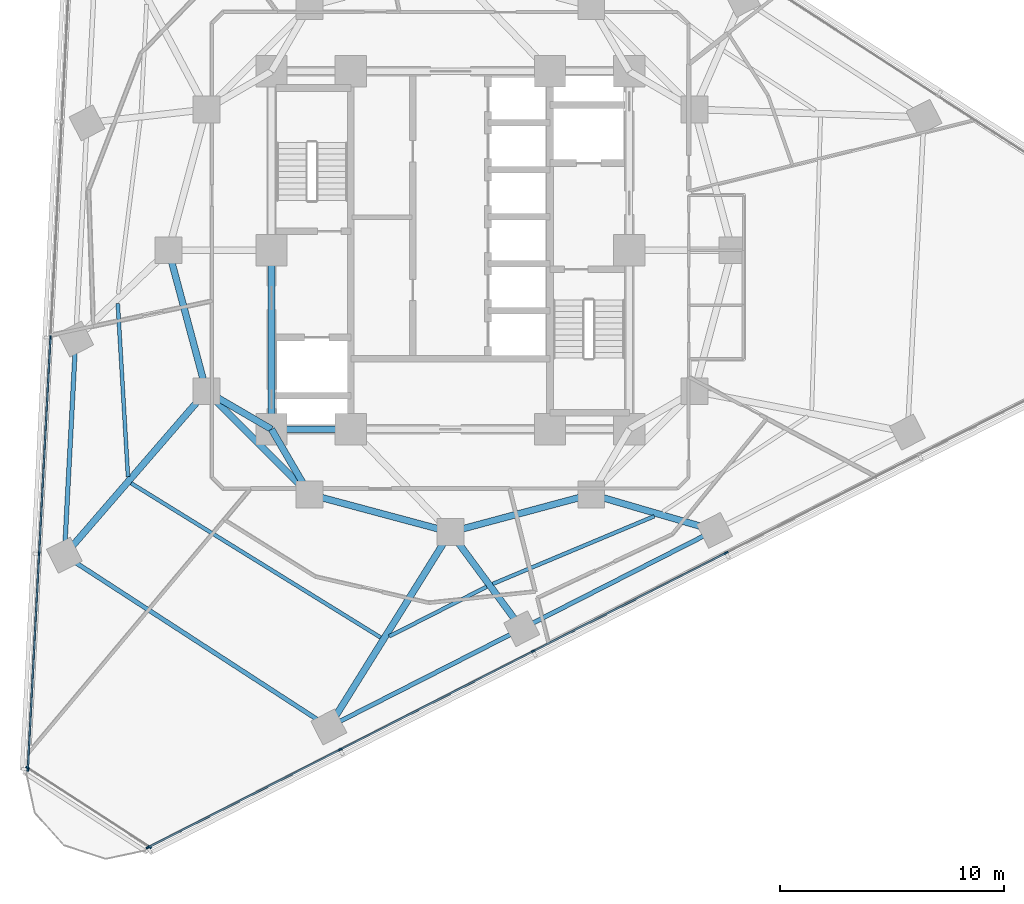
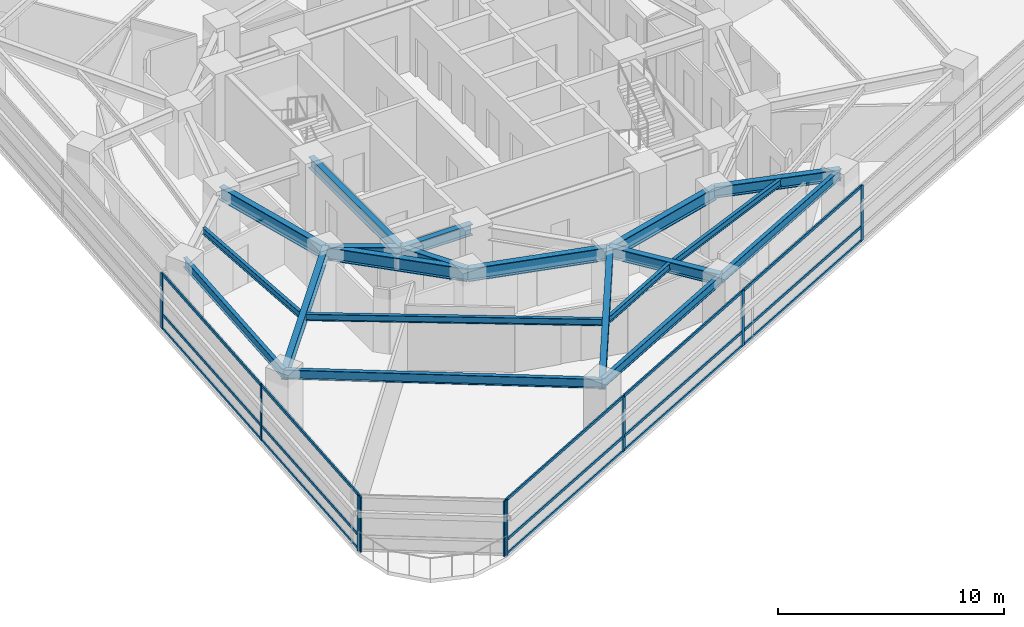
# One storey, part 2 of 14: 24 members, 20 beams, 3 elements without a shape of their own.
"""IFC4 building model written with IfcOpenShell, lengths in metres."""

from ifc_helpers import new_model, si_unit, direction, frame, origin, origin_2d, place, context, subcontext, project, spatial, rectangle, i_section, extrude, material, layer, layer_set, material_profile, profile_set, type_object, element, aggregate, save


model = new_model("IFC4")

# Units and contexts
model_context = context("Model", 3, precision=1e-05, world=origin(), true_north=direction((0.0, 1.0)))
body_context = subcontext(model_context, "Body", "Model", "MODEL_VIEW")
ifc_project = project(units=[si_unit("LENGTHUNIT", "METRE"), si_unit("AREAUNIT", "SQUARE_METRE"), si_unit("VOLUMEUNIT", "CUBIC_METRE"), si_unit("PLANEANGLEUNIT", "RADIAN"), si_unit("MASSUNIT", "GRAM", prefix="KILO")], contexts=[model_context])

# Site, building, storey
site_placement = place(None, origin())
site = spatial("IfcSite", under=ifc_project, at=site_placement, CompositionType="ELEMENT")
building_placement = place(site_placement, origin())
building = spatial("IfcBuilding", under=site, at=building_placement, Name="Terralouvre Media Tower", CompositionType="ELEMENT")
storey_placement = place(building_placement, frame((0.0, 0.0, 123.60009765625)))
storey = spatial("IfcBuildingStorey", under=building, at=storey_placement, Name="L31", CompositionType="ELEMENT", Elevation=123.60009765625)

# Beams
ifc_material_1 = material(Name="Structural steel S355J2", Category="steel")
ifc_material_profile_1 = material_profile(ifc_material_1, i_section(OverallWidth=0.169921875, OverallDepth=0.360107421875, WebThickness=0.008056640625, FlangeThickness=0.0126953125, at=origin_2d()), Name="IPE 360")
ifc_profile_set_1 = profile_set([ifc_material_profile_1], Name="Structural steel S355J2")
beam_type_1 = type_object("IfcBeamType", Name="Composite Floor Joist J-IPE360 (IPE 360)", PredefinedType="JOIST", material=ifc_profile_set_1)
beam_1_placement = place(storey_placement, frame((-14.872314453125, -2.377197265625, 3.31982421875), z_axis=(0.058878824525, -0.998265137137, 0.0), x_axis=(0.998265137137, 0.058878824525, 0.0)))
element("IfcBeam", 1, at=beam_1_placement, inside=storey, type_object=beam_type_1, Name="L31 Framing Beam JT-L31-01", PredefinedType="JOIST", context=body_context, shape_type="SweptSolid", body=[
    extrude(i_section(OverallWidth=0.169921875, OverallDepth=0.360107421875, WebThickness=0.008056640625, FlangeThickness=0.0126953125, at=origin_2d()), origin(), (0.0, 0.0, 1.0), 7.758056640625),
])
beam_2_placement = place(storey_placement, frame((-14.275390625, -10.413330078125, 3.31982421875), z_axis=(0.850512534705, -0.525954777818, 0.0), x_axis=(0.525954777818, 0.850512534705, 0.0)))
element("IfcBeam", 2, at=beam_2_placement, inside=storey, type_object=beam_type_1, Name="L31 Framing Beam JT-L31-02", PredefinedType="JOIST", context=body_context, shape_type="SweptSolid", body=[
    extrude(i_section(OverallWidth=0.169921875, OverallDepth=0.360107421875, WebThickness=0.008056640625, FlangeThickness=0.0126953125, at=origin_2d()), origin(), (0.0, 0.0, 1.0), 13.118896484375),
])
beam_3_placement = place(storey_placement, frame((-2.732666015625, -17.260986328125, 3.31982421875), z_axis=(0.891002879415, 0.453997652939, 0.0), x_axis=(-0.453997652939, 0.891002879415, 0.0)))
element("IfcBeam", 3, at=beam_3_placement, inside=storey, type_object=beam_type_1, Name="L31 Framing Beam JT-L31-03", PredefinedType="JOIST", context=body_context, shape_type="SweptSolid", body=[
    extrude(i_section(OverallWidth=0.169921875, OverallDepth=0.360107421875, WebThickness=0.008056640625, FlangeThickness=0.0126953125, at=origin_2d()), origin(), (0.0, 0.0, 1.0), 4.885009765625),
])
beam_4_placement = place(storey_placement, frame((1.89404296875, -14.916259765625, 3.31982421875), z_axis=(0.922254640504, 0.386582951085, 0.0), x_axis=(-0.386582951085, 0.922254640504, 0.0)))
element("IfcBeam", 4, at=beam_4_placement, inside=storey, type_object=beam_type_1, Name="L31 Framing Beam JT-L31-04", PredefinedType="JOIST", context=body_context, shape_type="SweptSolid", body=[
    extrude(i_section(OverallWidth=0.169921875, OverallDepth=0.360107421875, WebThickness=0.008056640625, FlangeThickness=0.0126953125, at=origin_2d()), origin(), (0.0, 0.0, 1.0), 7.8291015625),
])

# Curtain wall, members
ifc_material_2 = material(Name="Low-iron laminated double glazing with solar-control coating", Category="glass")
ifc_layer_1 = layer(ifc_material_2, 0.1650390625, Name="Production Studio Tower Curtain Wall CW-03")
ifc_layer_set_1 = layer_set([ifc_layer_1], Name="Low-iron laminated double glazing with solar-control coating")
curtain_wall_type_1 = type_object("IfcCurtainWallType", Name="Production Studio Tower Curtain Wall CW-03", PredefinedType="NOTDEFINED", material=ifc_layer_set_1)
curtain_wall_1_placement = place(storey_placement, origin())
curtain_wall_1 = element("IfcCurtainWall", 5, at=curtain_wall_1_placement, inside=storey, type_object=curtain_wall_type_1, Name="L31 Facade Curtain Wall F0", PredefinedType="NOTDEFINED")
ifc_material_3 = material(Name="Anodised extruded aluminium 6063-T6", Category="aluminium")
ifc_material_profile_2 = material_profile(ifc_material_3, rectangle(XDim=0.074951171875, YDim=0.14990234375, at=origin_2d()), Name="ALU 75x150")
ifc_profile_set_2 = profile_set([ifc_material_profile_2], Name="Anodised extruded aluminium 6063-T6")
member_type_1 = type_object("IfcMemberType", Name="Curtain-Wall Horizontal Transom TR-150", PredefinedType="USERDEFINED", material=ifc_profile_set_2)
member_1_placement = place(storey_placement, frame((-13.481689453125, -26.680419921875, 0.037353515625), z_axis=(0.891007557644, 0.453988471462, 0.0), x_axis=(-0.453988471462, 0.891007557644, 0.0)))
member_1 = element("IfcMember", 6, at=member_1_placement, type_object=member_type_1, Name="CW-03 transom 1.1", ObjectType="TRANSOM", PredefinedType="USERDEFINED", context=body_context, shape_type="SweptSolid", body=[
    extrude(rectangle(XDim=0.074951171875, YDim=0.14990234375, at=origin_2d()), origin(), (0.0, 0.0, 1.0), 9.5673828125),
])
member_2_placement = place(storey_placement, frame((-13.481689453125, -26.680419921875, 0.7998046875), z_axis=(0.891007557644, 0.453988471462, 0.0), x_axis=(-0.453988471462, 0.891007557644, 0.0)))
member_2 = element("IfcMember", 7, at=member_2_placement, type_object=member_type_1, Name="CW-03 transom 1.2", ObjectType="TRANSOM", PredefinedType="USERDEFINED", context=body_context, shape_type="SweptSolid", body=[
    extrude(rectangle(XDim=0.074951171875, YDim=0.14990234375, at=origin_2d()), origin(), (0.0, 0.0, 1.0), 9.5673828125),
])
member_3_placement = place(storey_placement, frame((-13.481689453125, -26.680419921875, 2.96240234375), z_axis=(0.891007557644, 0.453988471462, 0.0), x_axis=(-0.453988471462, 0.891007557644, 0.0)))
member_3 = element("IfcMember", 8, at=member_3_placement, type_object=member_type_1, Name="CW-03 transom 1.3", ObjectType="TRANSOM", PredefinedType="USERDEFINED", context=body_context, shape_type="SweptSolid", body=[
    extrude(rectangle(XDim=0.074951171875, YDim=0.14990234375, at=origin_2d()), origin(), (0.0, 0.0, 1.0), 9.5673828125),
])
member_4_placement = place(storey_placement, frame((-4.89013671875, -22.302978515625, 0.037353515625), z_axis=(0.891005548508, 0.453992414615, 0.0), x_axis=(-0.453992414615, 0.891005548508, 0.0)))
member_4 = element("IfcMember", 9, at=member_4_placement, type_object=member_type_1, Name="CW-03 transom 2.1", ObjectType="TRANSOM", PredefinedType="USERDEFINED", context=body_context, shape_type="SweptSolid", body=[
    extrude(rectangle(XDim=0.074951171875, YDim=0.14990234375, at=origin_2d()), origin(), (0.0, 0.0, 1.0), 9.60498046875),
])
member_5_placement = place(storey_placement, frame((-4.89013671875, -22.302978515625, 0.7998046875), z_axis=(0.891005548508, 0.453992414615, 0.0), x_axis=(-0.453992414615, 0.891005548508, 0.0)))
member_5 = element("IfcMember", 10, at=member_5_placement, type_object=member_type_1, Name="CW-03 transom 2.2", ObjectType="TRANSOM", PredefinedType="USERDEFINED", context=body_context, shape_type="SweptSolid", body=[
    extrude(rectangle(XDim=0.074951171875, YDim=0.14990234375, at=origin_2d()), origin(), (0.0, 0.0, 1.0), 9.60498046875),
])
member_6_placement = place(storey_placement, frame((-4.89013671875, -22.302978515625, 2.96240234375), z_axis=(0.891005548508, 0.453992414615, 0.0), x_axis=(-0.453992414615, 0.891005548508, 0.0)))
member_6 = element("IfcMember", 11, at=member_6_placement, type_object=member_type_1, Name="CW-03 transom 2.3", ObjectType="TRANSOM", PredefinedType="USERDEFINED", context=body_context, shape_type="SweptSolid", body=[
    extrude(rectangle(XDim=0.074951171875, YDim=0.14990234375, at=origin_2d()), origin(), (0.0, 0.0, 1.0), 9.60498046875),
])
member_7_placement = place(storey_placement, frame((3.734619140625, -17.908203125, 0.037353515625), z_axis=(0.891005548508, 0.453992414615, 0.0), x_axis=(-0.453992414615, 0.891005548508, 0.0)))
member_7 = element("IfcMember", 12, at=member_7_placement, type_object=member_type_1, Name="CW-03 transom 3.1", ObjectType="TRANSOM", PredefinedType="USERDEFINED", context=body_context, shape_type="SweptSolid", body=[
    extrude(rectangle(XDim=0.074951171875, YDim=0.14990234375, at=origin_2d()), origin(), (0.0, 0.0, 1.0), 9.60498046875),
])
member_8_placement = place(storey_placement, frame((3.734619140625, -17.908203125, 0.7998046875), z_axis=(0.891005548508, 0.453992414615, 0.0), x_axis=(-0.453992414615, 0.891005548508, 0.0)))
member_8 = element("IfcMember", 13, at=member_8_placement, type_object=member_type_1, Name="CW-03 transom 3.2", ObjectType="TRANSOM", PredefinedType="USERDEFINED", context=body_context, shape_type="SweptSolid", body=[
    extrude(rectangle(XDim=0.074951171875, YDim=0.14990234375, at=origin_2d()), origin(), (0.0, 0.0, 1.0), 9.60498046875),
])
member_9_placement = place(storey_placement, frame((3.734619140625, -17.908203125, 2.96240234375), z_axis=(0.891005548508, 0.453992414615, 0.0), x_axis=(-0.453992414615, 0.891005548508, 0.0)))
member_9 = element("IfcMember", 14, at=member_9_placement, type_object=member_type_1, Name="CW-03 transom 3.3", ObjectType="TRANSOM", PredefinedType="USERDEFINED", context=body_context, shape_type="SweptSolid", body=[
    extrude(rectangle(XDim=0.074951171875, YDim=0.14990234375, at=origin_2d()), origin(), (0.0, 0.0, 1.0), 9.60498046875),
])

curtain_wall_2_placement = place(storey_placement, origin())
curtain_wall_2 = element("IfcCurtainWall", 15, at=curtain_wall_2_placement, inside=storey, type_object=curtain_wall_type_1, Name="L31 Facade Curtain Wall F2", PredefinedType="NOTDEFINED")
member_10_placement = place(storey_placement, frame((-17.883056640625, -3.947021484375, 0.037353515625), z_axis=(-0.052336036535, -0.998629530547, 0.0), x_axis=(0.998629530547, -0.052336036535, 0.0)))
member_10 = element("IfcMember", 16, at=member_10_placement, type_object=member_type_1, Name="CW-03 transom 4.1", ObjectType="TRANSOM", PredefinedType="USERDEFINED", context=body_context, shape_type="SweptSolid", body=[
    extrude(rectangle(XDim=0.074951171875, YDim=0.14990234375, at=origin_2d()), origin(), (0.0, 0.0, 1.0), 9.60498046875),
])
member_11_placement = place(storey_placement, frame((-17.883056640625, -3.947021484375, 0.7998046875), z_axis=(-0.052336036535, -0.998629530547, 0.0), x_axis=(0.998629530547, -0.052336036535, 0.0)))
member_11 = element("IfcMember", 17, at=member_11_placement, type_object=member_type_1, Name="CW-03 transom 4.2", ObjectType="TRANSOM", PredefinedType="USERDEFINED", context=body_context, shape_type="SweptSolid", body=[
    extrude(rectangle(XDim=0.074951171875, YDim=0.14990234375, at=origin_2d()), origin(), (0.0, 0.0, 1.0), 9.60498046875),
])
member_12_placement = place(storey_placement, frame((-17.883056640625, -3.947021484375, 2.96240234375), z_axis=(-0.052336036535, -0.998629530547, 0.0), x_axis=(0.998629530547, -0.052336036535, 0.0)))
member_12 = element("IfcMember", 18, at=member_12_placement, type_object=member_type_1, Name="CW-03 transom 4.3", ObjectType="TRANSOM", PredefinedType="USERDEFINED", context=body_context, shape_type="SweptSolid", body=[
    extrude(rectangle(XDim=0.074951171875, YDim=0.14990234375, at=origin_2d()), origin(), (0.0, 0.0, 1.0), 9.60498046875),
])
member_13_placement = place(storey_placement, frame((-18.3896484375, -13.61376953125, 0.037353515625), z_axis=(-0.052336504837, -0.998629506004, 0.0), x_axis=(0.998629506004, -0.052336504837, 0.0)))
member_13 = element("IfcMember", 19, at=member_13_placement, type_object=member_type_1, Name="CW-03 transom 5.1", ObjectType="TRANSOM", PredefinedType="USERDEFINED", context=body_context, shape_type="SweptSolid", body=[
    extrude(rectangle(XDim=0.074951171875, YDim=0.14990234375, at=origin_2d()), origin(), (0.0, 0.0, 1.0), 9.567626953125),
])
member_14_placement = place(storey_placement, frame((-18.3896484375, -13.61376953125, 0.7998046875), z_axis=(-0.052336504837, -0.998629506004, 0.0), x_axis=(0.998629506004, -0.052336504837, 0.0)))
member_14 = element("IfcMember", 20, at=member_14_placement, type_object=member_type_1, Name="CW-03 transom 5.2", ObjectType="TRANSOM", PredefinedType="USERDEFINED", context=body_context, shape_type="SweptSolid", body=[
    extrude(rectangle(XDim=0.074951171875, YDim=0.14990234375, at=origin_2d()), origin(), (0.0, 0.0, 1.0), 9.567626953125),
])
member_15_placement = place(storey_placement, frame((-18.3896484375, -13.61376953125, 2.96240234375), z_axis=(-0.052336504837, -0.998629506004, 0.0), x_axis=(0.998629506004, -0.052336504837, 0.0)))
member_15 = element("IfcMember", 21, at=member_15_placement, type_object=member_type_1, Name="CW-03 transom 5.3", ObjectType="TRANSOM", PredefinedType="USERDEFINED", context=body_context, shape_type="SweptSolid", body=[
    extrude(rectangle(XDim=0.074951171875, YDim=0.14990234375, at=origin_2d()), origin(), (0.0, 0.0, 1.0), 9.567626953125),
])

# Member
ifc_material_4 = material(Name="Anodised extruded aluminium 6063-T6", Category="aluminium")
ifc_material_profile_3 = material_profile(ifc_material_4, rectangle(XDim=0.074951171875, YDim=0.179931640625, at=origin_2d()), Name="ALU 75x180")
ifc_profile_set_3 = profile_set([ifc_material_profile_3], Name="Anodised extruded aluminium 6063-T6")
member_type_2 = type_object("IfcMemberType", Name="Curtain-Wall Vertical Mullion ML-180", PredefinedType="MULLION", material=ifc_profile_set_3)
member_16_placement = place(storey_placement, frame((-13.51513671875, -26.697509765625, 0.0), z_axis=(0.0, 0.0, 1.0), x_axis=(-0.4539905449, 0.891006501178, 0.0)))
member_16 = element("IfcMember", 22, at=member_16_placement, type_object=member_type_2, Name="CW-03 mullion 1", PredefinedType="MULLION", context=body_context, shape_type="SweptSolid", body=[
    extrude(rectangle(XDim=0.074951171875, YDim=0.179931640625, at=origin_2d()), origin(), (0.0, 0.0, 1.0), 3.0),
])

member_17_placement = place(storey_placement, frame((-4.923583984375, -22.31982421875, 0.0), z_axis=(0.0, 0.0, 1.0), x_axis=(-0.4539905449, 0.891006501178, 0.0)))
member_17 = element("IfcMember", 23, at=member_17_placement, type_object=member_type_2, Name="CW-03 mullion 2", PredefinedType="MULLION", context=body_context, shape_type="SweptSolid", body=[
    extrude(rectangle(XDim=0.074951171875, YDim=0.179931640625, at=origin_2d()), origin(), (0.0, 0.0, 1.0), 3.0),
])

member_18_placement = place(storey_placement, frame((3.701416015625, -17.92529296875, 0.0), z_axis=(0.0, 0.0, 1.0), x_axis=(-0.4539905449, 0.891006501178, 0.0)))
member_18 = element("IfcMember", 24, at=member_18_placement, type_object=member_type_2, Name="CW-03 mullion 3", PredefinedType="MULLION", context=body_context, shape_type="SweptSolid", body=[
    extrude(rectangle(XDim=0.074951171875, YDim=0.179931640625, at=origin_2d()), origin(), (0.0, 0.0, 1.0), 3.0),
])

member_19_placement = place(storey_placement, frame((12.326171875, -13.530517578125, 0.0), z_axis=(0.0, 0.0, 1.0), x_axis=(-0.4539905449, 0.891006501178, 0.0)))
member_19 = element("IfcMember", 25, at=member_19_placement, type_object=member_type_2, Name="CW-03 mullion 4", PredefinedType="MULLION", context=body_context, shape_type="SweptSolid", body=[
    extrude(rectangle(XDim=0.074951171875, YDim=0.179931640625, at=origin_2d()), origin(), (0.0, 0.0, 1.0), 3.0),
])

aggregate(curtain_wall_1, [member_16, member_17, member_18, member_19, member_1, member_2, member_3, member_4, member_5, member_6, member_7, member_8, member_9])

member_20_placement = place(storey_placement, frame((-17.881103515625, -3.909423828125, 0.0), z_axis=(0.0, 0.0, 1.0), x_axis=(0.998629535089, -0.052335949864, 0.0)))
member_20 = element("IfcMember", 26, at=member_20_placement, type_object=member_type_2, Name="CW-03 mullion 4", PredefinedType="MULLION", context=body_context, shape_type="SweptSolid", body=[
    extrude(rectangle(XDim=0.074951171875, YDim=0.179931640625, at=origin_2d()), origin(), (0.0, 0.0, 1.0), 3.0),
])

member_21_placement = place(storey_placement, frame((-18.3876953125, -13.576171875, 0.0), z_axis=(0.0, 0.0, 1.0), x_axis=(0.998629535089, -0.052335949864, 0.0)))
member_21 = element("IfcMember", 27, at=member_21_placement, type_object=member_type_2, Name="CW-03 mullion 5", PredefinedType="MULLION", context=body_context, shape_type="SweptSolid", body=[
    extrude(rectangle(XDim=0.074951171875, YDim=0.179931640625, at=origin_2d()), origin(), (0.0, 0.0, 1.0), 3.0),
])

member_22_placement = place(storey_placement, frame((-18.892333984375, -23.20556640625, 0.0), z_axis=(0.0, 0.0, 1.0), x_axis=(0.998629535089, -0.052335949864, 0.0)))
member_22 = element("IfcMember", 28, at=member_22_placement, type_object=member_type_2, Name="CW-03 mullion 6", PredefinedType="MULLION", context=body_context, shape_type="SweptSolid", body=[
    extrude(rectangle(XDim=0.074951171875, YDim=0.179931640625, at=origin_2d()), origin(), (0.0, 0.0, 1.0), 3.0),
])

aggregate(curtain_wall_2, [member_20, member_21, member_22, member_10, member_11, member_12, member_13, member_14, member_15])

# Curtain wall, members
ifc_material_5 = material(Name="Low-iron laminated double glazing with solar-control coating", Category="glass")
ifc_layer_2 = layer(ifc_material_5, 0.1650390625, Name="Rounded Wind-Corner Curved Glazing CW-04")
ifc_layer_set_2 = layer_set([ifc_layer_2], Name="Low-iron laminated double glazing with solar-control coating")
curtain_wall_type_2 = type_object("IfcCurtainWallType", Name="Rounded Wind-Corner Curved Glazing CW-04", PredefinedType="NOTDEFINED", material=ifc_layer_set_2)
curtain_wall_3_placement = place(storey_placement, origin())
curtain_wall_3 = element("IfcCurtainWall", 29, at=curtain_wall_3_placement, inside=storey, type_object=curtain_wall_type_2, Name="L31 Rounded Wind-Corner Curtain Wall C0", PredefinedType="NOTDEFINED")
member_23_placement = place(storey_placement, frame((-18.90625, -23.1396484375, 0.0), z_axis=(0.0, 0.0, 1.0), x_axis=(0.544639308152, 0.838670390568, 0.0)))
member_23 = element("IfcMember", 30, at=member_23_placement, type_object=member_type_2, Name="CW-04 mullion 1", PredefinedType="MULLION", context=body_context, shape_type="SweptSolid", body=[
    extrude(rectangle(XDim=0.074951171875, YDim=0.179931640625, at=origin_2d()), origin(), (0.0, 0.0, 1.0), 3.0),
])
member_24_placement = place(storey_placement, frame((-13.44921875, -26.68359375, 0.0), z_axis=(0.0, 0.0, 1.0), x_axis=(0.544639308152, 0.838670390568, 0.0)))
member_24 = element("IfcMember", 31, at=member_24_placement, type_object=member_type_2, Name="CW-04 mullion 2", PredefinedType="MULLION", context=body_context, shape_type="SweptSolid", body=[
    extrude(rectangle(XDim=0.074951171875, YDim=0.179931640625, at=origin_2d()), origin(), (0.0, 0.0, 1.0), 3.0),
])
aggregate(curtain_wall_3, [member_23, member_24])

# Beams
ifc_material_6 = material(Name="Structural steel S355J2", Category="steel")
ifc_material_profile_4 = material_profile(ifc_material_6, i_section(OverallWidth=0.199951171875, OverallDepth=0.5, WebThickness=0.01025390625, FlangeThickness=0.01611328125, at=origin_2d()), Name="IPE 500")
ifc_profile_set_4 = profile_set([ifc_material_profile_4], Name="Structural steel S355J2")
beam_type_2 = type_object("IfcBeamType", Name="Perimeter Spandrel Beam SPB-500 (IPE 500)", PredefinedType="SPANDREL", material=ifc_profile_set_4)
beam_5_placement = place(storey_placement, frame((-16.75244140625, -3.96875, 3.25), z_axis=(-0.052333792648, -0.998629648141, 0.0), x_axis=(0.998629648141, -0.052333792648, 0.0)))
element("IfcBeam", 32, at=beam_5_placement, inside=storey, type_object=beam_type_2, Name="L31 Framing Beam BM-L31-PR01", PredefinedType="SPANDREL", context=body_context, shape_type="SweptSolid", body=[
    extrude(i_section(OverallWidth=0.199951171875, OverallDepth=0.5, WebThickness=0.01025390625, FlangeThickness=0.01611328125, at=origin_2d()), origin(), (0.0, 0.0, 1.0), 9.679931640625),
])
beam_6_placement = place(storey_placement, frame((-17.259033203125, -13.635498046875, 3.25), z_axis=(0.838675019369, -0.544632180363, 0.0), x_axis=(0.544632180363, 0.838675019369, 0.0)))
element("IfcBeam", 33, at=beam_6_placement, inside=storey, type_object=beam_type_2, Name="L31 Framing Beam BM-L31-PR02", PredefinedType="SPANDREL", context=body_context, shape_type="SweptSolid", body=[
    extrude(i_section(OverallWidth=0.199951171875, OverallDepth=0.5, WebThickness=0.01025390625, FlangeThickness=0.01611328125, at=origin_2d()), origin(), (0.0, 0.0, 1.0), 14.0966796875),
])
beam_7_placement = place(storey_placement, frame((-5.4365234375, -21.31298828125, 3.25), z_axis=(0.891006580855, 0.453990388524, 0.0), x_axis=(-0.453990388524, 0.891006580855, 0.0)))
element("IfcBeam", 34, at=beam_7_placement, inside=storey, type_object=beam_type_2, Name="L31 Framing Beam BM-L31-PR03", PredefinedType="SPANDREL", context=body_context, shape_type="SweptSolid", body=[
    extrude(i_section(OverallWidth=0.199951171875, OverallDepth=0.5, WebThickness=0.01025390625, FlangeThickness=0.01611328125, at=origin_2d()), origin(), (0.0, 0.0, 1.0), 9.6796875),
])
beam_8_placement = place(storey_placement, frame((3.188232421875, -16.91845703125, 3.25), z_axis=(0.891001576959, 0.454000209093, 0.0), x_axis=(-0.454000209093, 0.891001576959, 0.0)))
element("IfcBeam", 35, at=beam_8_placement, inside=storey, type_object=beam_type_2, Name="L31 Framing Beam BM-L31-PR04", PredefinedType="SPANDREL", context=body_context, shape_type="SweptSolid", body=[
    extrude(i_section(OverallWidth=0.199951171875, OverallDepth=0.5, WebThickness=0.01025390625, FlangeThickness=0.01611328125, at=origin_2d()), origin(), (0.0, 0.0, 1.0), 9.68017578125),
])
ifc_material_7 = material(Name="Structural steel S460M", Category="steel")
ifc_material_profile_5 = material_profile(ifc_material_7, i_section(OverallWidth=0.300048828125, OverallDepth=0.60009765625, WebThickness=0.015380859375, FlangeThickness=0.030029296875, at=origin_2d()), Name="HEB 600")
ifc_profile_set_5 = profile_set([ifc_material_profile_5], Name="Structural steel S460M")
beam_type_3 = type_object("IfcBeamType", Name="Primary Floor Girder B-HEB600 (HEB 600)", PredefinedType="BEAM", material=ifc_profile_set_5)
beam_9_placement = place(storey_placement, frame((-8.0, -8.0, 3.199951171875), z_axis=(1.0, 0.0, 0.0), x_axis=(0.0, 1.0, 0.0)))
element("IfcBeam", 36, at=beam_9_placement, inside=storey, type_object=beam_type_3, Name="L31 Framing Beam BM-L31-CPR01", PredefinedType="BEAM", context=body_context, shape_type="SweptSolid", body=[
    extrude(i_section(OverallWidth=0.300048828125, OverallDepth=0.60009765625, WebThickness=0.015380859375, FlangeThickness=0.030029296875, at=origin_2d()), origin(), (0.0, 0.0, 1.0), 3.550048828125),
])
beam_10_placement = place(storey_placement, frame((-8.0, 0.0, 3.199951171875), z_axis=(0.0, -1.0, 0.0), x_axis=(1.0, 0.0, 0.0)))
element("IfcBeam", 37, at=beam_10_placement, inside=storey, type_object=beam_type_3, Name="L31 Framing Beam BM-L31-CPR10", PredefinedType="BEAM", context=body_context, shape_type="SweptSolid", body=[
    extrude(i_section(OverallWidth=0.300048828125, OverallDepth=0.60009765625, WebThickness=0.015380859375, FlangeThickness=0.030029296875, at=origin_2d()), origin(), (0.0, 0.0, 1.0), 8.0),
])
beam_11_placement = place(storey_placement, frame((-10.911865234375, -6.300048828125, 3.199951171875), z_axis=(-0.654328588351, -0.756210353319, 0.0), x_axis=(0.756210353319, -0.654328588351, 0.0)))
element("IfcBeam", 38, at=beam_11_placement, inside=storey, type_object=beam_type_3, Name="L31 Framing Beam BM-L31-RD02", PredefinedType="BEAM", context=body_context, shape_type="SweptSolid", body=[
    extrude(i_section(OverallWidth=0.300048828125, OverallDepth=0.60009765625, WebThickness=0.015380859375, FlangeThickness=0.030029296875, at=origin_2d()), origin(), (0.0, 0.0, 1.0), 9.7001953125),
])
beam_12_placement = place(storey_placement, frame((0.0, -12.60009765625, 3.199951171875), z_axis=(-0.529366283505, -0.848393386282, 0.0), x_axis=(0.848393386282, -0.529366283505, 0.0)))
element("IfcBeam", 39, at=beam_12_placement, inside=storey, type_object=beam_type_3, Name="L31 Framing Beam BM-L31-RD03", PredefinedType="BEAM", context=body_context, shape_type="SweptSolid", body=[
    extrude(i_section(OverallWidth=0.300048828125, OverallDepth=0.60009765625, WebThickness=0.015380859375, FlangeThickness=0.030029296875, at=origin_2d()), origin(), (0.0, 0.0, 1.0), 10.269775390625),
])
beam_13_placement = place(storey_placement, frame((0.0, -12.60009765625, 3.199951171875), z_axis=(0.593957444229, -0.804496460182, 0.0), x_axis=(0.804496460182, 0.593957444229, 0.0)))
element("IfcBeam", 40, at=beam_13_placement, inside=storey, type_object=beam_type_3, Name="L31 Framing Beam BM-L31-RD04", PredefinedType="BEAM", context=body_context, shape_type="SweptSolid", body=[
    extrude(i_section(OverallWidth=0.300048828125, OverallDepth=0.60009765625, WebThickness=0.015380859375, FlangeThickness=0.030029296875, at=origin_2d()), origin(), (0.0, 0.0, 1.0), 5.36767578125),
])
beam_14_placement = place(storey_placement, frame((6.300048828125, -10.911865234375, 3.199951171875), z_axis=(0.959821765834, -0.280610366577, 0.0), x_axis=(0.280610366577, 0.959821765834, 0.0)))
element("IfcBeam", 41, at=beam_14_placement, inside=storey, type_object=beam_type_3, Name="L31 Framing Beam BM-L31-RD05", PredefinedType="BEAM", context=body_context, shape_type="SweptSolid", body=[
    extrude(i_section(OverallWidth=0.300048828125, OverallDepth=0.60009765625, WebThickness=0.015380859375, FlangeThickness=0.030029296875, at=origin_2d()), origin(), (0.0, 0.0, 1.0), 5.743896484375),
])
ifc_material_8 = material(Name="Structural steel S460M", Category="steel")
ifc_material_profile_6 = material_profile(ifc_material_8, i_section(OverallWidth=0.300048828125, OverallDepth=0.699951171875, WebThickness=0.01708984375, FlangeThickness=0.031982421875, at=origin_2d()), Name="HEB 700")
ifc_profile_set_6 = profile_set([ifc_material_profile_6], Name="Structural steel S460M")
beam_type_4 = type_object("IfcBeamType", Name="Primary Floor Girder B-HEB700 (HEB 700)", PredefinedType="BEAM", material=ifc_profile_set_6)
beam_15_placement = place(storey_placement, frame((-10.911865234375, -6.300048828125, 3.14990234375), z_axis=(0.707106781187, -0.707106781187, 0.0), x_axis=(0.707106781187, 0.707106781187, 0.0)))
element("IfcBeam", 42, at=beam_15_placement, inside=storey, type_object=beam_type_4, Name="L31 Framing Beam BM-L31-MR01", PredefinedType="BEAM", context=body_context, shape_type="SweptSolid", body=[
    extrude(i_section(OverallWidth=0.300048828125, OverallDepth=0.699951171875, WebThickness=0.01708984375, FlangeThickness=0.031982421875, at=origin_2d()), origin(), (0.0, 0.0, 1.0), 6.52197265625),
])
for number, where, z_axis, x_axis, name in (
    (43, (-6.300048828125, -10.911865234375, 3.14990234375), (0.965920481897, -0.258838989821, 0.0), (0.258838989821, 0.965920481897, 0.0), "L31 Framing Beam BM-L31-MR02"),
    (44, (0.0, -12.60009765625, 3.14990234375), (0.965920481897, 0.258838989821, 0.0), (-0.258838989821, 0.965920481897, 0.0), "L31 Framing Beam BM-L31-MR03"),
    (45, (-12.60009765625, 0.0, 3.14990234375), (0.258838989821, -0.965920481897, 0.0), (0.965920481897, 0.258838989821, 0.0), "L31 Framing Beam BM-L31-MR12"),
):
    element("IfcBeam", number, at=place(storey_placement, frame(where, z_axis=z_axis, x_axis=x_axis)), inside=storey, type_object=beam_type_4, Name=name, PredefinedType="BEAM", context=body_context, shape_type="SweptSolid", body=[
        extrude(i_section(OverallWidth=0.300048828125, OverallDepth=0.699951171875, WebThickness=0.01708984375, FlangeThickness=0.031982421875, at=origin_2d()), origin(), (0.0, 0.0, 1.0), 6.522216796875),
    ])
for number, where, z_axis, x_axis, name in (
    (46, (-8.0, -8.0, 3.14990234375), (-0.863602894532, 0.504172629717, 0.0), (-0.504172629717, -0.863602894532, 0.0), "L31 Framing Beam BM-L31-CM01"),
    (47, (-8.0, -8.0, 3.14990234375), (0.504172629717, -0.863602894532, 0.0), (0.863602894532, 0.504172629717, 0.0), "L31 Framing Beam BM-L31-CM02"),
):
    element("IfcBeam", number, at=place(storey_placement, frame(where, z_axis=z_axis, x_axis=x_axis)), inside=storey, type_object=beam_type_4, Name=name, PredefinedType="BEAM", context=body_context, shape_type="SweptSolid", body=[
        extrude(i_section(OverallWidth=0.300048828125, OverallDepth=0.699951171875, WebThickness=0.01708984375, FlangeThickness=0.031982421875, at=origin_2d()), origin(), (0.0, 0.0, 1.0), 3.371826171875),
    ])

save(model, "model.ifc")
